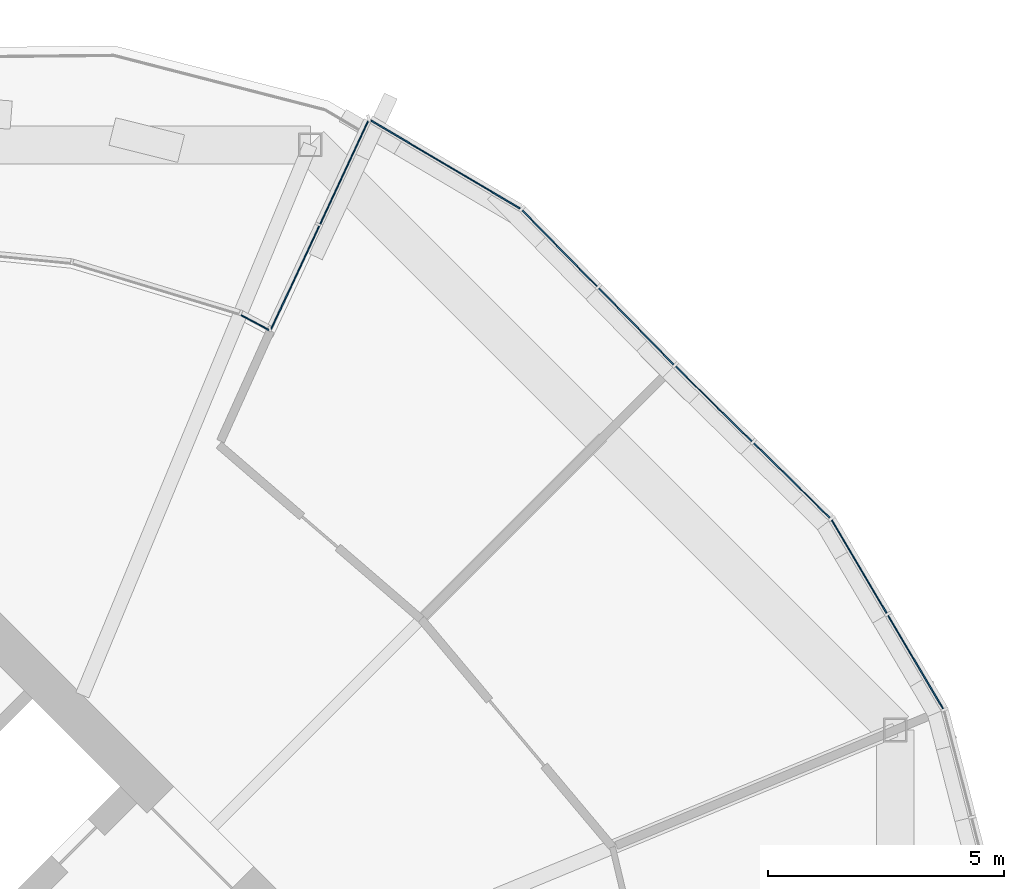
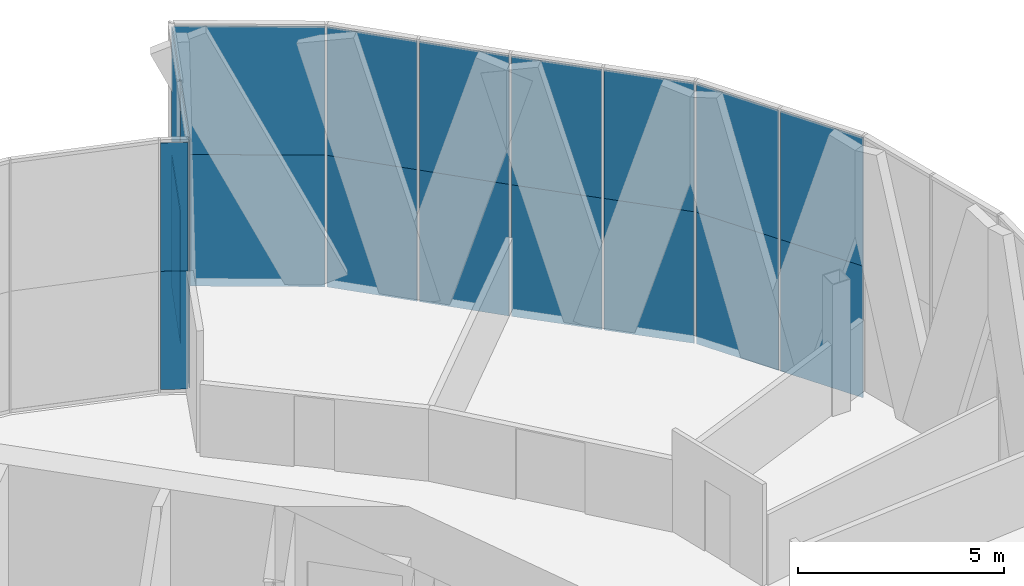
# One storey, part 21 of 31: 20 plates, 4 elements without a shape of their own.
"""IFC4 building model written with IfcOpenShell, lengths in metres."""

from ifc_helpers import new_model, si_unit, direction, frame, origin, origin_2d, place, context, subcontext, project, spatial, rectangle, extrude, material, layer, layer_set, type_object, element, aggregate, save


model = new_model("IFC4")

# Units and contexts
model_context = context("Model", 3, precision=1e-05, world=origin(), true_north=direction((0.0, 1.0)))
body_context = subcontext(model_context, "Body", "Model", "MODEL_VIEW")
ifc_project = project(units=[si_unit("LENGTHUNIT", "METRE"), si_unit("AREAUNIT", "SQUARE_METRE"), si_unit("VOLUMEUNIT", "CUBIC_METRE"), si_unit("PLANEANGLEUNIT", "RADIAN"), si_unit("MASSUNIT", "GRAM", prefix="KILO")], contexts=[model_context])

# Site, building, storey
site_placement = place(None, origin())
site = spatial("IfcSite", under=ifc_project, at=site_placement, CompositionType="ELEMENT")
building_placement = place(site_placement, origin())
building = spatial("IfcBuilding", under=site, at=building_placement, Name="Ogive Gate Towers", CompositionType="ELEMENT")
storey_placement = place(building_placement, frame((0.0, 0.0, 63.60009765625)))
storey = spatial("IfcBuildingStorey", under=building, at=storey_placement, Name="L14", CompositionType="ELEMENT", Elevation=63.60009765625)

# Curtain wall, plates
ifc_material_1 = material(Name="Pale metal aluminium", Category="aluminium")
curtain_wall_type_1 = type_object("IfcCurtainWallType", Name="Sky garden glazing", PredefinedType="NOTDEFINED", material=ifc_material_1)
curtain_wall_1_placement = place(storey_placement, origin())
curtain_wall_1 = element("IfcCurtainWall", 1, at=curtain_wall_1_placement, inside=storey, type_object=curtain_wall_type_1, Name="CW4 T2 ECW01", PredefinedType="NOTDEFINED")
ifc_material_2 = material(Name="Clear glass", Category="glass")
ifc_layer_1 = layer(ifc_material_2, 0.028076171875)
ifc_layer_set_1 = layer_set([ifc_layer_1], Name="Sky garden glazing glass panel")
plate_type_1 = type_object("IfcPlateType", Name="Sky garden glazing glass panel", PredefinedType="CURTAIN_PANEL", material=ifc_layer_set_1)
plate_1_placement = place(storey_placement, frame((43.591064453125, 17.394287109375, 0.095947265625), z_axis=(0.0, 0.0, 1.0), x_axis=(0.881913036789, -0.471412129184, 0.0)))
plate_1 = element("IfcPlate", 2, at=plate_1_placement, type_object=plate_type_1, Name="CW4 glass panel", PredefinedType="CURTAIN_PANEL", context=body_context, shape_type="SweptSolid", body=[
    extrude(rectangle(XDim=0.666259765625, YDim=0.028076171875, at=origin_2d()), origin(), (0.0, 0.0, 1.0), 3.50390625),
])
plate_2_placement = place(storey_placement, frame((43.591064453125, 17.394287109375, 3.60009765625), z_axis=(0.0, 0.0, 1.0), x_axis=(0.881913036789, -0.471412129184, 0.0)))
plate_2 = element("IfcPlate", 3, at=plate_2_placement, type_object=plate_type_1, Name="CW4 glass panel", PredefinedType="CURTAIN_PANEL", context=body_context, shape_type="SweptSolid", body=[
    extrude(rectangle(XDim=0.666259765625, YDim=0.028076171875, at=origin_2d()), origin(), (0.0, 0.0, 1.0), 3.803955078125),
])
plate_3_placement = place(storey_placement, frame((44.44482421875, 18.3466796875, 0.095947265625), z_axis=(0.0, 0.0, 1.0), x_axis=(0.422586625373, 0.906322538645, 0.0)))
plate_3 = element("IfcPlate", 4, at=plate_3_placement, type_object=plate_type_1, Name="CW4 glass panel", PredefinedType="CURTAIN_PANEL", context=body_context, shape_type="SweptSolid", body=[
    extrude(rectangle(XDim=2.410888671875, YDim=0.028076171875, at=origin_2d()), origin(), (0.0, 0.0, 1.0), 3.50390625),
])
plate_4_placement = place(storey_placement, frame((44.44482421875, 18.3466796875, 3.60009765625), z_axis=(0.0, 0.0, 1.0), x_axis=(0.422586625373, 0.906322538645, 0.0)))
plate_4 = element("IfcPlate", 5, at=plate_4_placement, type_object=plate_type_1, Name="CW4 glass panel", PredefinedType="CURTAIN_PANEL", context=body_context, shape_type="SweptSolid", body=[
    extrude(rectangle(XDim=2.410888671875, YDim=0.028076171875, at=origin_2d()), origin(), (0.0, 0.0, 1.0), 3.803955078125),
])
aggregate(curtain_wall_1, [plate_1, plate_2, plate_3, plate_4])

curtain_wall_type_2 = type_object("IfcCurtainWallType", Name="Tower unitised wall, low zone", PredefinedType="NOTDEFINED", material=ifc_material_1)
curtain_wall_2_placement = place(storey_placement, origin())
curtain_wall_2 = element("IfcCurtainWall", 6, at=curtain_wall_2_placement, inside=storey, type_object=curtain_wall_type_2, Name="CW1 T2 ECW03", PredefinedType="NOTDEFINED")
ifc_layer_2 = layer(ifc_material_2, 0.028076171875)
ifc_layer_set_2 = layer_set([ifc_layer_2], Name="Tower unitised wall, low zone glass panel")
plate_type_2 = type_object("IfcPlateType", Name="Tower unitised wall, low zone glass panel", PredefinedType="CURTAIN_PANEL", material=ifc_layer_set_2)
plate_5_placement = place(storey_placement, frame((53.310302734375, 15.670654296875, -0.300048828125), z_axis=(0.0, 0.0, 1.0), x_axis=(0.713849613797, -0.700299028189, 0.0)))
plate_5 = element("IfcPlate", 7, at=plate_5_placement, type_object=plate_type_2, Name="CW1 glass panel", PredefinedType="CURTAIN_PANEL", context=body_context, shape_type="SweptSolid", body=[
    extrude(rectangle(XDim=2.264892578125, YDim=0.028076171875, at=origin_2d()), origin(), (0.0, 0.0, 1.0), 3.89990234375),
])
plate_6_placement = place(storey_placement, frame((53.310302734375, 15.670654296875, 3.60009765625), z_axis=(0.0, 0.0, 1.0), x_axis=(0.713849613797, -0.700299028189, 0.0)))
plate_6 = element("IfcPlate", 8, at=plate_6_placement, type_object=plate_type_2, Name="CW1 glass panel", PredefinedType="CURTAIN_PANEL", context=body_context, shape_type="SweptSolid", body=[
    extrude(rectangle(XDim=2.264892578125, YDim=0.028076171875, at=origin_2d()), origin(), (0.0, 0.0, 1.0), 3.803955078125),
])
plate_7_placement = place(storey_placement, frame((54.964599609375, 14.048095703125, -0.300048828125), z_axis=(0.0, 0.0, 1.0), x_axis=(0.713861836212, -0.700286569056, 0.0)))
plate_7 = element("IfcPlate", 9, at=plate_7_placement, type_object=plate_type_2, Name="CW1 glass panel", PredefinedType="CURTAIN_PANEL", context=body_context, shape_type="SweptSolid", body=[
    extrude(rectangle(XDim=2.26123046875, YDim=0.028076171875, at=origin_2d()), origin(), (0.0, 0.0, 1.0), 3.89990234375),
])
plate_8_placement = place(storey_placement, frame((54.964599609375, 14.048095703125, 3.60009765625), z_axis=(0.0, 0.0, 1.0), x_axis=(0.713861836212, -0.700286569056, 0.0)))
plate_8 = element("IfcPlate", 10, at=plate_8_placement, type_object=plate_type_2, Name="CW1 glass panel", PredefinedType="CURTAIN_PANEL", context=body_context, shape_type="SweptSolid", body=[
    extrude(rectangle(XDim=2.26123046875, YDim=0.028076171875, at=origin_2d()), origin(), (0.0, 0.0, 1.0), 3.803955078125),
])
plate_9_placement = place(storey_placement, frame((56.39208984375, 12.221435546875, -0.300048828125), z_axis=(0.0, 0.0, 1.0), x_axis=(0.508530551553, -0.861043946693, 0.0)))
plate_9 = element("IfcPlate", 11, at=plate_9_placement, type_object=plate_type_2, Name="CW1 glass panel", PredefinedType="CURTAIN_PANEL", context=body_context, shape_type="SweptSolid", body=[
    extrude(rectangle(XDim=2.29150390625, YDim=0.028076171875, at=origin_2d()), origin(), (0.0, 0.0, 1.0), 3.89990234375),
])
plate_10_placement = place(storey_placement, frame((56.39208984375, 12.221435546875, 3.60009765625), z_axis=(0.0, 0.0, 1.0), x_axis=(0.508530551553, -0.861043946693, 0.0)))
plate_10 = element("IfcPlate", 12, at=plate_10_placement, type_object=plate_type_2, Name="CW1 glass panel", PredefinedType="CURTAIN_PANEL", context=body_context, shape_type="SweptSolid", body=[
    extrude(rectangle(XDim=2.29150390625, YDim=0.028076171875, at=origin_2d()), origin(), (0.0, 0.0, 1.0), 3.803955078125),
])
plate_11_placement = place(storey_placement, frame((57.584716796875, 10.201904296875, -0.300048828125), z_axis=(0.0, 0.0, 1.0), x_axis=(0.508545579527, -0.86103507103, 0.0)))
plate_11 = element("IfcPlate", 13, at=plate_11_placement, type_object=plate_type_2, Name="CW1 glass panel", PredefinedType="CURTAIN_PANEL", context=body_context, shape_type="SweptSolid", body=[
    extrude(rectangle(XDim=2.29150390625, YDim=0.028076171875, at=origin_2d()), origin(), (0.0, 0.0, 1.0), 3.89990234375),
])
plate_12_placement = place(storey_placement, frame((57.584716796875, 10.201904296875, 3.60009765625), z_axis=(0.0, 0.0, 1.0), x_axis=(0.508545579527, -0.86103507103, 0.0)))
plate_12 = element("IfcPlate", 14, at=plate_12_placement, type_object=plate_type_2, Name="CW1 glass panel", PredefinedType="CURTAIN_PANEL", context=body_context, shape_type="SweptSolid", body=[
    extrude(rectangle(XDim=2.29150390625, YDim=0.028076171875, at=origin_2d()), origin(), (0.0, 0.0, 1.0), 3.803955078125),
])
aggregate(curtain_wall_2, [plate_5, plate_6, plate_7, plate_8, plate_9, plate_10, plate_11, plate_12])

curtain_wall_3_placement = place(storey_placement, origin())
curtain_wall_3 = element("IfcCurtainWall", 15, at=curtain_wall_3_placement, inside=storey, type_object=curtain_wall_type_2, Name="CW1 T2 ECW04", PredefinedType="NOTDEFINED")
plate_13_placement = place(storey_placement, frame((50.046630859375, 18.9658203125, -0.300048828125), z_axis=(0.0, 0.0, 1.0), x_axis=(0.700286569056, -0.713861836212, 0.0)))
plate_13 = element("IfcPlate", 16, at=plate_13_placement, type_object=plate_type_2, Name="CW1 glass panel", PredefinedType="CURTAIN_PANEL", context=body_context, shape_type="SweptSolid", body=[
    extrude(rectangle(XDim=2.26513671875, YDim=0.028076171875, at=origin_2d()), origin(), (0.0, 0.0, 1.0), 3.89990234375),
])
plate_14_placement = place(storey_placement, frame((50.046630859375, 18.9658203125, 3.60009765625), z_axis=(0.0, 0.0, 1.0), x_axis=(0.700286569056, -0.713861836212, 0.0)))
plate_14 = element("IfcPlate", 17, at=plate_14_placement, type_object=plate_type_2, Name="CW1 glass panel", PredefinedType="CURTAIN_PANEL", context=body_context, shape_type="SweptSolid", body=[
    extrude(rectangle(XDim=2.26513671875, YDim=0.028076171875, at=origin_2d()), origin(), (0.0, 0.0, 1.0), 3.803955078125),
])
plate_15_placement = place(storey_placement, frame((51.670654296875, 17.310302734375, -0.300048828125), z_axis=(0.0, 0.0, 1.0), x_axis=(0.700299028189, -0.713849613797, 0.0)))
plate_15 = element("IfcPlate", 18, at=plate_15_placement, type_object=plate_type_2, Name="CW1 glass panel", PredefinedType="CURTAIN_PANEL", context=body_context, shape_type="SweptSolid", body=[
    extrude(rectangle(XDim=2.264892578125, YDim=0.028076171875, at=origin_2d()), origin(), (0.0, 0.0, 1.0), 3.89990234375),
])
plate_16_placement = place(storey_placement, frame((51.670654296875, 17.310302734375, 3.60009765625), z_axis=(0.0, 0.0, 1.0), x_axis=(0.700299028189, -0.713849613797, 0.0)))
plate_16 = element("IfcPlate", 19, at=plate_16_placement, type_object=plate_type_2, Name="CW1 glass panel", PredefinedType="CURTAIN_PANEL", context=body_context, shape_type="SweptSolid", body=[
    extrude(rectangle(XDim=2.264892578125, YDim=0.028076171875, at=origin_2d()), origin(), (0.0, 0.0, 1.0), 3.803955078125),
])
aggregate(curtain_wall_3, [plate_13, plate_14, plate_15, plate_16])

curtain_wall_4_placement = place(storey_placement, origin())
curtain_wall_4 = element("IfcCurtainWall", 20, at=curtain_wall_4_placement, inside=storey, type_object=curtain_wall_type_2, Name="CW1 T2 ECW04b", PredefinedType="NOTDEFINED")
plate_17_placement = place(storey_placement, frame((45.482177734375, 20.5712890625, -0.300048828125), z_axis=(0.0, 0.0, 1.0), x_axis=(0.422634079731, 0.906300410818, 0.0)))
plate_17 = element("IfcPlate", 21, at=plate_17_placement, type_object=plate_type_2, Name="CW1 glass panel", PredefinedType="CURTAIN_PANEL", context=body_context, shape_type="SweptSolid", body=[
    extrude(rectangle(XDim=2.400146484375, YDim=0.028076171875, at=origin_2d()), origin(), (0.0, 0.0, 1.0), 3.89990234375),
])
plate_18_placement = place(storey_placement, frame((45.482177734375, 20.5712890625, 3.60009765625), z_axis=(0.0, 0.0, 1.0), x_axis=(0.422634079731, 0.906300410818, 0.0)))
plate_18 = element("IfcPlate", 22, at=plate_18_placement, type_object=plate_type_2, Name="CW1 glass panel", PredefinedType="CURTAIN_PANEL", context=body_context, shape_type="SweptSolid", body=[
    extrude(rectangle(XDim=2.400146484375, YDim=0.028076171875, at=origin_2d()), origin(), (0.0, 0.0, 1.0), 3.803955078125),
])
plate_19_placement = place(storey_placement, frame((47.62890625, 20.741943359375, -0.300048828125), z_axis=(0.0, 0.0, 1.0), x_axis=(0.861043946693, -0.508530551553, 0.0)))
plate_19 = element("IfcPlate", 23, at=plate_19_placement, type_object=plate_type_2, Name="CW1 glass panel", PredefinedType="CURTAIN_PANEL", context=body_context, shape_type="SweptSolid", body=[
    extrude(rectangle(XDim=3.67578125, YDim=0.028076171875, at=origin_2d()), origin(), (0.0, 0.0, 1.0), 3.89990234375),
])
plate_20_placement = place(storey_placement, frame((47.62890625, 20.741943359375, 3.60009765625), z_axis=(0.0, 0.0, 1.0), x_axis=(0.861043946693, -0.508530551553, 0.0)))
plate_20 = element("IfcPlate", 24, at=plate_20_placement, type_object=plate_type_2, Name="CW1 glass panel", PredefinedType="CURTAIN_PANEL", context=body_context, shape_type="SweptSolid", body=[
    extrude(rectangle(XDim=3.67578125, YDim=0.028076171875, at=origin_2d()), origin(), (0.0, 0.0, 1.0), 3.803955078125),
])
aggregate(curtain_wall_4, [plate_17, plate_18, plate_19, plate_20])

save(model, "model.ifc")
